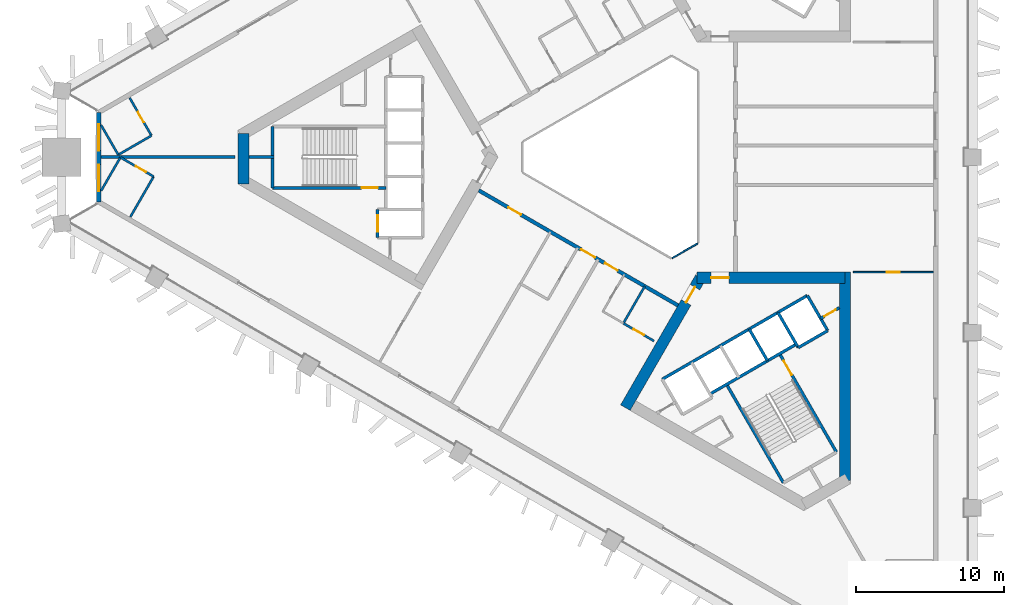
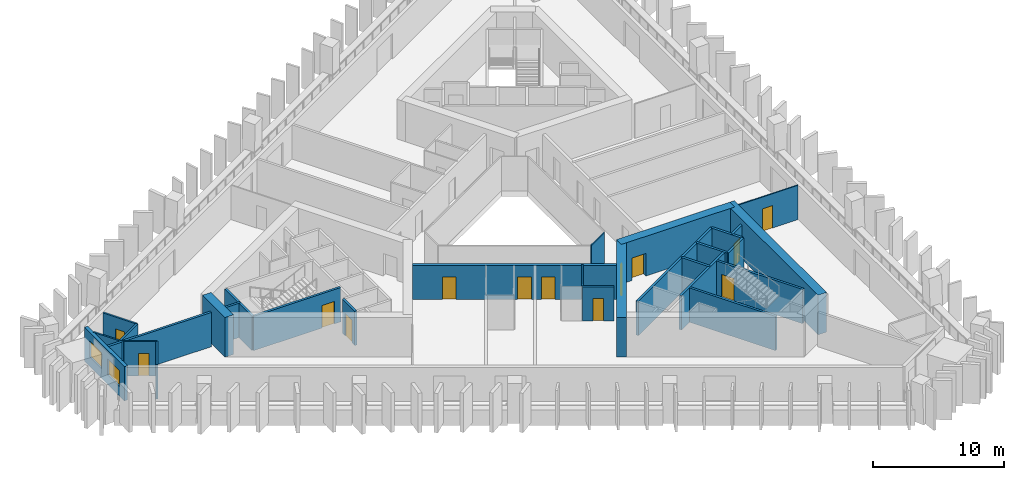
# One storey, part 3 of 10: 30 walls, 13 doors, 2 windows, 15 openings.
"""IFC4 building model written with IfcOpenShell, lengths in metres."""

from ifc_helpers import new_model, si_unit, direction, frame, frame_2d, origin, place, context, subcontext, project, spatial, rectangle, extrude, material, layer, layer_set, type_object, element, fill, save


model = new_model("IFC4")

# Units and contexts
model_context = context("Model", 3, precision=1e-05, world=origin(), true_north=direction((0.0, 1.0)))
body_context = subcontext(model_context, "Body", "Model", "MODEL_VIEW")
ifc_project = project(units=[si_unit("LENGTHUNIT", "METRE"), si_unit("AREAUNIT", "SQUARE_METRE"), si_unit("VOLUMEUNIT", "CUBIC_METRE"), si_unit("PLANEANGLEUNIT", "RADIAN"), si_unit("MASSUNIT", "GRAM", prefix="KILO")], contexts=[model_context])

# Site, building, storey
site_placement = place(None, origin())
site = spatial("IfcSite", under=ifc_project, at=site_placement, CompositionType="ELEMENT")
building_placement = place(site_placement, origin())
building = spatial("IfcBuilding", under=site, at=building_placement, Name="Jabali Bay Hotel Tower and Convention Centre", CompositionType="ELEMENT")
storey_placement = place(building_placement, frame((0.0, 0.0, 72.10009765625)))
storey = spatial("IfcBuildingStorey", under=building, at=storey_placement, Name="L16", CompositionType="ELEMENT", Elevation=72.10009765625)

# Walls
ifc_material_1 = material(Name="Fire-resistant glazing", Category="glass")
ifc_layer_1 = layer(ifc_material_1, 0.10009765625)
ifc_layer_set_1 = layer_set([ifc_layer_1], Name="Fire-resistant glazing")
wall_type_1 = type_object("IfcWallType", Name="Atrium glazed screen 100", PredefinedType="PARTITIONING", material=ifc_layer_set_1)
wall_1_placement = place(storey_placement, frame((77.7978515625, 73.15380859375, 0.0), z_axis=(0.0, 0.0, 1.0), x_axis=(0.866041268327, 0.499972520799, 0.0)))
element("IfcWall", 1, at=wall_1_placement, inside=storey, type_object=wall_type_1, Name="Atrium screen 6 L16", PredefinedType="PARTITIONING", context=body_context, shape_type="SweptSolid", body=[
    extrude(rectangle(XDim=2.0, YDim=0.10009765625, at=frame_2d((1.0, 0.0))), origin(), (0.0, 0.0, 1.0), 3.199951171875),
])
ifc_material_2 = material(Name="Concrete C40", Category="concrete")
ifc_layer_2 = layer(ifc_material_2, 0.199951171875)
ifc_layer_set_2 = layer_set([ifc_layer_2], Name="Concrete C40")
wall_type_2 = type_object("IfcWallType", Name="Core partition wall 200", PredefinedType="PARTITIONING", material=ifc_layer_set_2)
wall_2_placement = place(storey_placement, frame((50.820068359375, 80.0, 0.0), z_axis=(0.0, 0.0, 1.0), x_axis=(-1.0, 0.0, 0.0)))
element("IfcWall", 2, at=wall_2_placement, inside=storey, type_object=wall_type_2, Name="Core wall 0.5 L16", PredefinedType="PARTITIONING", context=body_context, shape_type="SweptSolid", body=[
    extrude(rectangle(XDim=1.673095703125, YDim=0.199951171875, at=frame_2d((0.83642578125, 0.0))), origin(), (0.0, 0.0, 1.0), 3.199951171875),
])

# Wall, opening, door
wall_3_placement = place(storey_placement, frame((87.86474609375, 69.067626953125, 0.0), z_axis=(0.0, 0.0, 1.0), x_axis=(0.865982457891, 0.500074377092, 0.0)))
wall_3 = element("IfcWall", 3, at=wall_3_placement, inside=storey, type_object=wall_type_2, Name="Core wall 2.12 L16", PredefinedType="PARTITIONING", context=body_context, shape_type="SweptSolid", body=[
    extrude(rectangle(XDim=1.461181640625, YDim=0.199951171875, at=frame_2d((0.73046875, 0.0))), origin(), (0.0, 0.0, 1.0), 3.199951171875),
])
opening_1_placement = place(wall_3_placement, frame((0.280517578125, 0.0, 0.0)))
opening_1 = element("IfcOpeningElement", 4, at=opening_1_placement, cuts=wall_3, Name="Opening D416", PredefinedType="OPENING", context=body_context, shape_type="SweptSolid", body=[
    extrude(rectangle(XDim=0.89990234375, YDim=2.10009765625, at=frame_2d((0.449951171875, 1.050048828125))), frame((0.0, 0.1103515625, 0.0), z_axis=(0.0, -1.0, 0.0), x_axis=(1.0, 0.0, 0.0)), (0.0, 0.0, 1.0), 0.220947265625),
])
ifc_material_3 = material(Name="Fire-rated steel door", Category="steel")
door_type_1 = type_object("IfcDoorType", Name="Vestibule fire door 900 x 2100", OperationType="NOTDEFINED", PredefinedType="NOTDEFINED", material=ifc_material_3)
door_1_placement = place(opening_1_placement, origin())
door_1 = element("IfcDoor", 5, at=door_1_placement, inside=storey, type_object=door_type_1, Name="Vestibule fire door D416", OperationType="SINGLE_SWING_LEFT", OverallHeight=2.10009765625, OverallWidth=0.89990234375, PredefinedType="NOTDEFINED", context=body_context, shape_type="SweptSolid", body=[
    extrude(rectangle(XDim=0.89990234375, YDim=2.10009765625, at=frame_2d((0.449951171875, 1.050048828125))), frame((0.0, 0.02490234375, 0.0), z_axis=(0.0, -1.0, 0.0), x_axis=(1.0, 0.0, 0.0)), (0.0, 0.0, 1.0), 0.050048828125),
])
fill(opening_1, door_1)

ifc_layer_3 = layer(ifc_material_2, 0.199951171875)
ifc_layer_set_3 = layer_set([ifc_layer_3], Name="Concrete C40")
wall_type_3 = type_object("IfcWallType", Name="Core stair wall 200", PredefinedType="SOLIDWALL", material=ifc_layer_set_3)
wall_4_placement = place(storey_placement, frame((58.419921875, 77.925048828125, 0.0), z_axis=(0.0, 0.0, 1.0), x_axis=(-1.0, 0.0, 0.0)))
wall_4 = element("IfcWall", 6, at=wall_4_placement, inside=storey, type_object=wall_type_3, Name="Core wall 0.7 L16", PredefinedType="SOLIDWALL", context=body_context, shape_type="SweptSolid", body=[
    extrude(rectangle(XDim=7.699951171875, YDim=0.199951171875, at=frame_2d((3.85009765625, 0.0))), origin(), (0.0, 0.0, 1.0), 3.199951171875),
])
opening_2_placement = place(wall_4_placement, frame((0.550048828125, 0.0, 0.0)))
opening_2 = element("IfcOpeningElement", 7, at=opening_2_placement, cuts=wall_4, Name="Opening D406", PredefinedType="OPENING", context=body_context, shape_type="SweptSolid", body=[
    extrude(rectangle(XDim=1.10009765625, YDim=2.10009765625, at=frame_2d((0.550048828125, 1.050048828125))), frame((0.0, 0.1103515625, 0.0), z_axis=(0.0, -1.0, 0.0), x_axis=(1.0, 0.0, 0.0)), (0.0, 0.0, 1.0), 0.220947265625),
])
door_type_2 = type_object("IfcDoorType", Name="Stair fire door 1100 x 2100", OperationType="NOTDEFINED", PredefinedType="NOTDEFINED", material=ifc_material_3)
door_2_placement = place(opening_2_placement, origin())
door_2 = element("IfcDoor", 8, at=door_2_placement, inside=storey, type_object=door_type_2, Name="Stair fire door D406", OperationType="SINGLE_SWING_RIGHT", OverallHeight=2.10009765625, OverallWidth=1.10009765625, PredefinedType="NOTDEFINED", context=body_context, shape_type="SweptSolid", body=[
    extrude(rectangle(XDim=1.10009765625, YDim=2.10009765625, at=frame_2d((0.550048828125, 1.050048828125))), frame((0.0, 0.02490234375, 0.0), z_axis=(0.0, -1.0, 0.0), x_axis=(1.0, 0.0, 0.0)), (0.0, 0.0, 1.0), 0.050048828125),
])
fill(opening_2, door_2)

wall_5_placement = place(storey_placement, frame((57.85009765625, 76.449951171875, 0.0), z_axis=(0.0, 0.0, 1.0), x_axis=(0.0, -1.0, 0.0)))
wall_5 = element("IfcWall", 9, at=wall_5_placement, inside=storey, type_object=wall_type_3, Name="Core wall 0.14 L16", PredefinedType="SOLIDWALL", context=body_context, shape_type="SweptSolid", body=[
    extrude(rectangle(XDim=1.89990234375, YDim=0.199951171875, at=frame_2d((0.949951171875, 0.0))), origin(), (0.0, 0.0, 1.0), 3.199951171875),
])
opening_3_placement = place(wall_5_placement, frame((0.39990234375, 0.0, 0.0)))
opening_3 = element("IfcOpeningElement", 10, at=opening_3_placement, cuts=wall_5, Name="Opening LD5-L16", PredefinedType="OPENING", context=body_context, shape_type="SweptSolid", body=[
    extrude(rectangle(XDim=1.10009765625, YDim=2.10009765625, at=frame_2d((0.550048828125, 1.050048828125))), frame((0.0, 0.1103515625, 0.0), z_axis=(0.0, -1.0, 0.0), x_axis=(1.0, 0.0, 0.0)), (0.0, 0.0, 1.0), 0.220947265625),
])
ifc_material_4 = material(Name="Stainless steel landing door", Category="steel")
door_type_3 = type_object("IfcDoorType", Name="Landing door 1100 x 2100", OperationType="NOTDEFINED", PredefinedType="NOTDEFINED", material=ifc_material_4)
door_3_placement = place(opening_3_placement, origin())
door_3 = element("IfcDoor", 11, at=door_3_placement, inside=storey, type_object=door_type_3, Name="Landing doors LD5-L16", OperationType="SLIDING_TO_RIGHT", OverallHeight=2.10009765625, OverallWidth=1.10009765625, PredefinedType="NOTDEFINED", context=body_context, shape_type="SweptSolid", body=[
    extrude(rectangle(XDim=1.10009765625, YDim=2.10009765625, at=frame_2d((0.550048828125, 1.050048828125))), frame((0.0, 0.02490234375, 0.0), z_axis=(0.0, -1.0, 0.0), x_axis=(1.0, 0.0, 0.0)), (0.0, 0.0, 1.0), 0.050048828125),
])
fill(opening_3, door_3)

# Walls
wall_6_placement = place(storey_placement, frame((50.719970703125, 82.074951171875, 0.0), z_axis=(0.0, 0.0, 1.0), x_axis=(0.0, -1.0, 0.0)))
element("IfcWall", 12, at=wall_6_placement, inside=storey, type_object=wall_type_3, Name="Core wall 0.17 L16", PredefinedType="SOLIDWALL", context=body_context, shape_type="SweptSolid", body=[
    extrude(rectangle(XDim=4.14990234375, YDim=0.199951171875, at=frame_2d((2.074951171875, 0.0))), origin(), (0.0, 0.0, 1.0), 3.199951171875),
])
wall_7_placement = place(storey_placement, frame((81.492919921875, 64.603759765625, 0.0), z_axis=(0.0, 0.0, 1.0), x_axis=(0.500006057782, -0.866021906294, 0.0)))
element("IfcWall", 13, at=wall_7_placement, inside=storey, type_object=wall_type_3, Name="Core wall 2.3 L16", PredefinedType="SOLIDWALL", context=body_context, shape_type="SweptSolid", body=[
    extrude(rectangle(XDim=7.7001953125, YDim=0.199951171875, at=frame_2d((3.85009765625, 0.0))), origin(), (0.0, 0.0, 1.0), 3.199951171875),
])
wall_8_placement = place(storey_placement, frame((83.024169921875, 68.3515625, 0.0), z_axis=(0.0, 0.0, 1.0), x_axis=(0.50000366821, -0.866023285932, 0.0)))
element("IfcWall", 14, at=wall_8_placement, inside=storey, type_object=wall_type_3, Name="Core wall 2.6 L16", PredefinedType="SOLIDWALL", context=body_context, shape_type="SweptSolid", body=[
    extrude(rectangle(XDim=2.47998046875, YDim=0.199951171875, at=frame_2d((1.239990234375, 0.0))), origin(), (0.0, 0.0, 1.0), 3.199951171875),
])

# Wall, opening, door
wall_9_placement = place(storey_placement, frame((85.0869140625, 66.6787109375, 0.0), z_axis=(0.0, 0.0, 1.0), x_axis=(0.500019787375, -0.866013979237, 0.0)))
wall_9 = element("IfcWall", 15, at=wall_9_placement, inside=storey, type_object=wall_type_3, Name="Core wall 2.7 L16", PredefinedType="SOLIDWALL", context=body_context, shape_type="SweptSolid", body=[
    extrude(rectangle(XDim=7.699951171875, YDim=0.199951171875, at=frame_2d((3.85009765625, 0.0))), origin(), (0.0, 0.0, 1.0), 3.199951171875),
])
opening_4_placement = place(wall_9_placement, frame((0.550048828125, 0.0, 0.0)))
opening_4 = element("IfcOpeningElement", 16, at=opening_4_placement, cuts=wall_9, Name="Opening D418", PredefinedType="OPENING", context=body_context, shape_type="SweptSolid", body=[
    extrude(rectangle(XDim=1.10009765625, YDim=2.10009765625, at=frame_2d((0.550048828125, 1.050048828125))), frame((0.0, 0.1103515625, 0.0), z_axis=(0.0, -1.0, 0.0), x_axis=(1.0, 0.0, 0.0)), (0.0, 0.0, 1.0), 0.220947265625),
])
door_4_placement = place(opening_4_placement, origin())
door_4 = element("IfcDoor", 17, at=door_4_placement, inside=storey, type_object=door_type_2, Name="Stair fire door D418", OperationType="SINGLE_SWING_RIGHT", OverallHeight=2.10009765625, OverallWidth=1.10009765625, PredefinedType="NOTDEFINED", context=body_context, shape_type="SweptSolid", body=[
    extrude(rectangle(XDim=1.10009765625, YDim=2.10009765625, at=frame_2d((0.550048828125, 1.050048828125))), frame((0.0, 0.02490234375, 0.0), z_axis=(0.0, -1.0, 0.0), x_axis=(1.0, 0.0, 0.0)), (0.0, 0.0, 1.0), 0.050048828125),
])
fill(opening_4, door_4)

# Walls
for number, where, z_axis, x_axis, name in (
    (18, (84.972900390625, 69.4765625, 0.0), (0.0, 0.0, 1.0), (0.499996545922, -0.866027397988, 0.0), "Core wall 2.8 L16"),
    (19, (86.964599609375, 70.62646484375, 0.0), (0.0, 0.0, 1.0), (0.499996545922, -0.866027397988, 0.0), "Core wall 2.9 L16"),
):
    element("IfcWall", number, at=place(storey_placement, frame(where, z_axis=z_axis, x_axis=x_axis)), inside=storey, type_object=wall_type_3, Name=name, PredefinedType="SOLIDWALL", context=body_context, shape_type="SweptSolid", body=[
        extrude(rectangle(XDim=2.75, YDim=0.199951171875, at=frame_2d((1.375, 0.0))), origin(), (0.0, 0.0, 1.0), 3.199951171875),
    ])
wall_10_placement = place(storey_placement, frame((77.13525390625, 64.95166015625, 0.0), z_axis=(0.0, 0.0, 1.0), x_axis=(0.866031916153, 0.499988720078, 0.0)))
element("IfcWall", 20, at=wall_10_placement, inside=storey, type_object=wall_type_3, Name="Core wall 2.10 L16", PredefinedType="SOLIDWALL", context=body_context, shape_type="SweptSolid", body=[
    extrude(rectangle(XDim=11.349853515625, YDim=0.199951171875, at=frame_2d((5.6748046875, 0.0))), origin(), (0.0, 0.0, 1.0), 3.199951171875),
])
wall_11_placement = place(storey_placement, frame((80.3671875, 63.953857421875, 0.0), z_axis=(0.0, 0.0, 1.0), x_axis=(0.866026575979, 0.499997969693, 0.0)))
element("IfcWall", 21, at=wall_11_placement, inside=storey, type_object=wall_type_3, Name="Core wall 2.13 L16", PredefinedType="SOLIDWALL", context=body_context, shape_type="SweptSolid", body=[
    extrude(rectangle(XDim=6.75, YDim=0.199951171875, at=frame_2d((3.375, 0.0))), origin(), (0.0, 0.0, 1.0), 3.199951171875),
])
wall_12_placement = place(storey_placement, frame((86.347900390625, 67.094970703125, 0.0), z_axis=(0.0, 0.0, 1.0), x_axis=(0.86602648383, 0.499998129301, 0.0)))
element("IfcWall", 22, at=wall_12_placement, inside=storey, type_object=wall_type_3, Name="Core wall 2.15 L16", PredefinedType="SOLIDWALL", context=body_context, shape_type="SweptSolid", body=[
    extrude(rectangle(XDim=2.2998046875, YDim=0.199951171875, at=frame_2d((1.14990234375, 0.0))), origin(), (0.0, 0.0, 1.0), 3.199951171875),
])
ifc_material_5 = material(Name="Concrete C60", Category="concrete")
ifc_layer_4 = layer(ifc_material_5, 0.75)
ifc_layer_set_4 = layer_set([ifc_layer_4], Name="Concrete C60")
wall_type_4 = type_object("IfcWallType", Name="Core wall 750", PredefinedType="SHEAR", material=ifc_layer_set_4)
wall_13_placement = place(storey_placement, frame((48.77197265625, 81.606201171875, 0.0), z_axis=(0.0, 0.0, 1.0), x_axis=(0.0, -1.0, 0.0)))
element("IfcWall", 23, at=wall_13_placement, inside=storey, type_object=wall_type_4, Name="Core wall 1.3 L16", PredefinedType="SHEAR", context=body_context, shape_type="SweptSolid", body=[
    extrude(rectangle(XDim=3.428955078125, YDim=0.75, at=frame_2d((1.71435546875, 0.0))), origin(), (0.0, 0.0, 1.0), 3.699951171875),
])

# Wall, opening, door
wall_14_placement = place(storey_placement, frame((79.716552734375, 71.830810546875, 0.0), z_axis=(0.0, 0.0, 1.0), x_axis=(-0.499996230114, -0.866027580318, 0.0)))
wall_14 = element("IfcWall", 24, at=wall_14_placement, inside=storey, type_object=wall_type_4, Name="Core wall 3.1 L16", PredefinedType="SHEAR", context=body_context, shape_type="SweptSolid", body=[
    extrude(rectangle(XDim=10.16357421875, YDim=0.75, at=frame_2d((5.081787109375, 0.0))), origin(), (0.0, 0.0, 1.0), 3.699951171875),
])
opening_5_placement = place(wall_14_placement, frame((0.7333984375, 0.0, 0.0)))
opening_5 = element("IfcOpeningElement", 25, at=opening_5_placement, cuts=wall_14, Name="Opening D414", PredefinedType="OPENING", context=body_context, shape_type="SweptSolid", body=[
    extrude(rectangle(XDim=1.199951171875, YDim=2.10009765625, at=frame_2d((0.60009765625, 1.050048828125))), frame((0.0, 0.385498046875, 0.0), z_axis=(0.0, -1.0, 0.0), x_axis=(1.0, 0.0, 0.0)), (0.0, 0.0, 1.0), 0.77099609375),
])
door_type_4 = type_object("IfcDoorType", Name="Corridor end fire door 1200 x 2100", OperationType="NOTDEFINED", PredefinedType="NOTDEFINED", material=ifc_material_3)
door_5_placement = place(opening_5_placement, origin())
door_5 = element("IfcDoor", 26, at=door_5_placement, inside=storey, type_object=door_type_4, Name="Corridor end fire door D414", OperationType="SINGLE_SWING_RIGHT", OverallHeight=2.10009765625, OverallWidth=1.199951171875, PredefinedType="NOTDEFINED", context=body_context, shape_type="SweptSolid", body=[
    extrude(rectangle(XDim=1.199951171875, YDim=2.10009765625, at=frame_2d((0.60009765625, 1.050048828125))), frame((0.0, 0.02490234375, 0.0), z_axis=(0.0, -1.0, 0.0), x_axis=(1.0, 0.0, 0.0)), (0.0, 0.0, 1.0), 0.050048828125),
])
fill(opening_5, door_5)

# Wall
wall_15_placement = place(storey_placement, frame((89.5048828125, 58.0888671875, 0.0), z_axis=(0.0, 0.0, 1.0), x_axis=(0.0, 1.0, 0.0)))
element("IfcWall", 27, at=wall_15_placement, inside=storey, type_object=wall_type_4, Name="Core wall 3.4 L16", PredefinedType="SHEAR", context=body_context, shape_type="SweptSolid", body=[
    extrude(rectangle(XDim=14.116943359375, YDim=0.75, at=frame_2d((7.05859375, 0.0))), origin(), (0.0, 0.0, 1.0), 3.699951171875),
])

# Wall, opening, door
wall_16_placement = place(storey_placement, frame((89.5048828125, 71.830810546875, 0.0), z_axis=(0.0, 0.0, 1.0), x_axis=(-1.0, 0.0, 0.0)))
wall_16 = element("IfcWall", 28, at=wall_16_placement, inside=storey, type_object=wall_type_4, Name="Core wall 3.5 L16", PredefinedType="SHEAR", context=body_context, shape_type="SweptSolid", body=[
    extrude(rectangle(XDim=10.0048828125, YDim=0.75, at=frame_2d((5.00244140625, 0.0))), origin(), (0.0, 0.0, 1.0), 3.699951171875),
])
opening_6_placement = place(wall_16_placement, frame((7.85498046875, 0.0, 0.0)))
opening_6 = element("IfcOpeningElement", 29, at=opening_6_placement, cuts=wall_16, Name="Opening D415", PredefinedType="OPENING", context=body_context, shape_type="SweptSolid", body=[
    extrude(rectangle(XDim=1.199951171875, YDim=2.10009765625, at=frame_2d((0.60009765625, 1.050048828125))), frame((0.0, 0.385498046875, 0.0), z_axis=(0.0, -1.0, 0.0), x_axis=(1.0, 0.0, 0.0)), (0.0, 0.0, 1.0), 0.77099609375),
])
door_6_placement = place(opening_6_placement, origin())
door_6 = element("IfcDoor", 30, at=door_6_placement, inside=storey, type_object=door_type_4, Name="Corridor end fire door D415", OperationType="SINGLE_SWING_LEFT", OverallHeight=2.10009765625, OverallWidth=1.199951171875, PredefinedType="NOTDEFINED", context=body_context, shape_type="SweptSolid", body=[
    extrude(rectangle(XDim=1.199951171875, YDim=2.10009765625, at=frame_2d((0.60009765625, 1.050048828125))), frame((0.0, 0.02490234375, 0.0), z_axis=(0.0, -1.0, 0.0), x_axis=(1.0, 0.0, 0.0)), (0.0, 0.0, 1.0), 0.050048828125),
])
fill(opening_6, door_6)

# Wall, openings, doors
ifc_layer_5 = layer(ifc_material_5, 0.25)
ifc_layer_set_5 = layer_set([ifc_layer_5], Name="Concrete C60")
wall_type_5 = type_object("IfcWallType", Name="Corridor wall 250", PredefinedType="SHEAR", material=ifc_layer_set_5)
wall_17_placement = place(storey_placement, frame((64.699951171875, 77.748291015625, 0.0), z_axis=(0.0, 0.0, 1.0), x_axis=(0.866026492143, -0.499998114903, 0.0)))
wall_17 = element("IfcWall", 31, at=wall_17_placement, inside=storey, type_object=wall_type_5, Name="Corridor wall 3 L16", PredefinedType="SHEAR", context=body_context, shape_type="SweptSolid", body=[
    extrude(rectangle(XDim=15.58837890625, YDim=0.25, at=frame_2d((7.794189453125, 0.0))), origin(), (0.0, 0.0, 1.0), 3.199951171875),
])
opening_7_placement = place(wall_17_placement, frame((2.305908203125, 0.0, 0.0)))
opening_7 = element("IfcOpeningElement", 32, at=opening_7_placement, cuts=wall_17, Name="Opening 1617", PredefinedType="OPENING", context=body_context, shape_type="SweptSolid", body=[
    extrude(rectangle(XDim=1.0, YDim=2.10009765625, at=frame_2d((0.5, 1.050048828125))), frame((0.0, 0.135498046875, 0.0), z_axis=(0.0, -1.0, 0.0), x_axis=(1.0, 0.0, 0.0)), (0.0, 0.0, 1.0), 0.27099609375),
])
opening_8_placement = place(wall_17_placement, frame((8.003173828125, 0.0, 0.0)))
opening_8 = element("IfcOpeningElement", 33, at=opening_8_placement, cuts=wall_17, Name="Opening 1621", PredefinedType="OPENING", context=body_context, shape_type="SweptSolid", body=[
    extrude(rectangle(XDim=1.10009765625, YDim=2.10009765625, at=frame_2d((0.550048828125, 1.050048828125))), frame((0.0, 0.135498046875, 0.0), z_axis=(0.0, -1.0, 0.0), x_axis=(1.0, 0.0, 0.0)), (0.0, 0.0, 1.0), 0.27099609375),
])
opening_9_placement = place(wall_17_placement, frame((9.870849609375, 0.0, 0.0)))
opening_9 = element("IfcOpeningElement", 34, at=opening_9_placement, cuts=wall_17, Name="Opening 1624", PredefinedType="OPENING", context=body_context, shape_type="SweptSolid", body=[
    extrude(rectangle(XDim=1.0, YDim=2.10009765625, at=frame_2d((0.5, 1.050048828125))), frame((0.0, 0.135498046875, 0.0), z_axis=(0.0, -1.0, 0.0), x_axis=(1.0, 0.0, 0.0)), (0.0, 0.0, 1.0), 0.27099609375),
])
ifc_material_6 = material(Name="Timber", Category="wood")
door_type_5 = type_object("IfcDoorType", Name="Accessible guest room door 1100 x 2100", OperationType="NOTDEFINED", PredefinedType="NOTDEFINED", material=ifc_material_6)
door_7_placement = place(opening_8_placement, origin())
door_7 = element("IfcDoor", 35, at=door_7_placement, inside=storey, type_object=door_type_5, Name="Door 1621", OperationType="SINGLE_SWING_RIGHT", OverallHeight=2.10009765625, OverallWidth=1.10009765625, PredefinedType="NOTDEFINED", context=body_context, shape_type="SweptSolid", body=[
    extrude(rectangle(XDim=1.10009765625, YDim=2.10009765625, at=frame_2d((0.550048828125, 1.050048828125))), frame((0.0, 0.02490234375, 0.0), z_axis=(0.0, -1.0, 0.0), x_axis=(1.0, 0.0, 0.0)), (0.0, 0.0, 1.0), 0.050048828125),
])
fill(opening_8, door_7)
door_type_6 = type_object("IfcDoorType", Name="Guest room door 1000 x 2100", OperationType="NOTDEFINED", PredefinedType="NOTDEFINED", material=ifc_material_6)
door_8_placement = place(opening_7_placement, origin())
door_8 = element("IfcDoor", 36, at=door_8_placement, inside=storey, type_object=door_type_6, Name="Door 1617", OperationType="SINGLE_SWING_LEFT", OverallHeight=2.10009765625, OverallWidth=1.0, PredefinedType="NOTDEFINED", context=body_context, shape_type="SweptSolid", body=[
    extrude(rectangle(XDim=1.0, YDim=2.10009765625, at=frame_2d((0.5, 1.050048828125))), frame((0.0, 0.02490234375, 0.0), z_axis=(0.0, -1.0, 0.0), x_axis=(1.0, 0.0, 0.0)), (0.0, 0.0, 1.0), 0.050048828125),
])
fill(opening_7, door_8)
door_9_placement = place(opening_9_placement, origin())
door_9 = element("IfcDoor", 37, at=door_9_placement, inside=storey, type_object=door_type_6, Name="Door 1624", OperationType="SINGLE_SWING_RIGHT", OverallHeight=2.10009765625, OverallWidth=1.0, PredefinedType="NOTDEFINED", context=body_context, shape_type="SweptSolid", body=[
    extrude(rectangle(XDim=1.0, YDim=2.10009765625, at=frame_2d((0.5, 1.050048828125))), frame((0.0, 0.02490234375, 0.0), z_axis=(0.0, -1.0, 0.0), x_axis=(1.0, 0.0, 0.0)), (0.0, 0.0, 1.0), 0.050048828125),
])
fill(opening_9, door_9)

# Wall, openings, windows
ifc_layer_6 = layer(ifc_material_2, 0.300048828125)
ifc_layer_set_6 = layer_set([ifc_layer_6], Name="Concrete C40")
wall_type_6 = type_object("IfcWallType", Name="External wall 300", PredefinedType="SOLIDWALL", material=ifc_layer_set_6)
wall_18_placement = place(storey_placement, frame((38.962158203125, 76.9619140625, 0.0), z_axis=(0.0, 0.0, 1.0), x_axis=(0.0, 1.0, 0.0)))
wall_18 = element("IfcWall", 38, at=wall_18_placement, inside=storey, type_object=wall_type_6, Name="External wall west chamfer L16", PredefinedType="SOLIDWALL", context=body_context, shape_type="SweptSolid", body=[
    extrude(rectangle(XDim=6.076171875, YDim=0.300048828125, at=frame_2d((3.0380859375, 0.0))), origin(), (0.0, 0.0, 1.0), 3.199951171875),
])
opening_10_placement = place(wall_18_placement, frame((3.484130859375, 0.0, 0.89990234375)))
opening_10 = element("IfcOpeningElement", 39, at=opening_10_placement, cuts=wall_18, Name="Opening W1", PredefinedType="OPENING", context=body_context, shape_type="SweptSolid", body=[
    extrude(rectangle(XDim=1.800048828125, YDim=1.5, at=frame_2d((0.89990234375, 0.75))), frame((0.0, 0.16064453125, 0.0), z_axis=(0.0, -1.0, 0.0), x_axis=(1.0, 0.0, 0.0)), (0.0, 0.0, 1.0), 0.321044921875),
])
opening_11_placement = place(wall_18_placement, frame((0.737548828125, 0.0, 0.89990234375)))
opening_11 = element("IfcOpeningElement", 40, at=opening_11_placement, cuts=wall_18, Name="Opening W1", PredefinedType="OPENING", context=body_context, shape_type="SweptSolid", body=[
    extrude(rectangle(XDim=1.800048828125, YDim=1.5, at=frame_2d((0.89990234375, 0.75))), frame((0.0, 0.16064453125, 0.0), z_axis=(0.0, -1.0, 0.0), x_axis=(1.0, 0.0, 0.0)), (0.0, 0.0, 1.0), 0.321044921875),
])
ifc_material_7 = material(Name="Glass", Category="glass")
window_type = type_object("IfcWindowType", Name="Window 1800 x 1500", PartitioningType="SINGLE_PANEL", PredefinedType="WINDOW", material=ifc_material_7)
window_1_placement = place(opening_10_placement, origin())
window_1 = element("IfcWindow", 41, at=window_1_placement, inside=storey, type_object=window_type, Name="Window 1607", OverallHeight=1.5, OverallWidth=1.800048828125, PartitioningType="SINGLE_PANEL", PredefinedType="WINDOW", context=body_context, shape_type="SweptSolid", body=[
    extrude(rectangle(XDim=1.800048828125, YDim=1.5, at=frame_2d((0.89990234375, 0.75))), frame((0.0, 0.030029296875, 0.0), z_axis=(0.0, -1.0, 0.0), x_axis=(1.0, 0.0, 0.0)), (0.0, 0.0, 1.0), 0.06005859375),
])
fill(opening_10, window_1)
window_2_placement = place(opening_11_placement, origin())
window_2 = element("IfcWindow", 42, at=window_2_placement, inside=storey, type_object=window_type, Name="Window 1608", OverallHeight=1.5, OverallWidth=1.800048828125, PartitioningType="SINGLE_PANEL", PredefinedType="WINDOW", context=body_context, shape_type="SweptSolid", body=[
    extrude(rectangle(XDim=1.800048828125, YDim=1.5, at=frame_2d((0.89990234375, 0.75))), frame((0.0, 0.030029296875, 0.0), z_axis=(0.0, -1.0, 0.0), x_axis=(1.0, 0.0, 0.0)), (0.0, 0.0, 1.0), 0.06005859375),
])
fill(opening_11, window_2)

# Wall, opening, door
ifc_material_8 = material(Name="Plasterboard on steel stud", Category="steel")
ifc_layer_7 = layer(ifc_material_8, 0.10009765625)
ifc_layer_set_7 = layer_set([ifc_layer_7], Name="Plasterboard on steel stud")
wall_type_7 = type_object("IfcWallType", Name="Partition 100 unit", PredefinedType="PARTITIONING", material=ifc_layer_set_7)
wall_19_placement = place(storey_placement, frame((90.0791015625, 72.205810546875, 0.0), z_axis=(0.0, 0.0, 1.0), x_axis=(1.0, 0.0, 0.0)))
wall_19 = element("IfcWall", 43, at=wall_19_placement, inside=storey, type_object=wall_type_7, Name="Partition P02 L16 001", PredefinedType="PARTITIONING", context=body_context, shape_type="SweptSolid", body=[
    extrude(rectangle(XDim=5.421875, YDim=0.10009765625, at=frame_2d((2.7109375, 0.0))), origin(), (0.0, 0.0, 1.0), 3.199951171875),
])
opening_12_placement = place(wall_19_placement, frame((2.260986328125, 0.0, 0.0)))
opening_12 = element("IfcOpeningElement", 44, at=opening_12_placement, cuts=wall_19, Name="Opening 1602", PredefinedType="OPENING", context=body_context, shape_type="SweptSolid", body=[
    extrude(rectangle(XDim=0.89990234375, YDim=2.10009765625, at=frame_2d((0.449951171875, 1.050048828125))), frame((0.0, 0.060546875, 0.0), z_axis=(0.0, -1.0, 0.0), x_axis=(1.0, 0.0, 0.0)), (0.0, 0.0, 1.0), 0.12109375),
])
door_type_7 = type_object("IfcDoorType", Name="Internal door 900 x 2100", OperationType="NOTDEFINED", PredefinedType="NOTDEFINED", material=ifc_material_6)
door_10_placement = place(opening_12_placement, origin())
door_10 = element("IfcDoor", 45, at=door_10_placement, inside=storey, type_object=door_type_7, Name="Door 1602", OperationType="SINGLE_SWING_LEFT", OverallHeight=2.10009765625, OverallWidth=0.89990234375, PredefinedType="NOTDEFINED", context=body_context, shape_type="SweptSolid", body=[
    extrude(rectangle(XDim=0.89990234375, YDim=2.10009765625, at=frame_2d((0.449951171875, 1.050048828125))), frame((0.0, 0.02490234375, 0.0), z_axis=(0.0, -1.0, 0.0), x_axis=(1.0, 0.0, 0.0)), (0.0, 0.0, 1.0), 0.050048828125),
])
fill(opening_12, door_10)

ifc_layer_8 = layer(ifc_material_8, 0.14990234375)
ifc_layer_set_8 = layer_set([ifc_layer_8], Name="Plasterboard on steel stud")
wall_type_8 = type_object("IfcWallType", Name="Partition 150 wet", PredefinedType="PARTITIONING", material=ifc_layer_set_8)
wall_20_placement = place(storey_placement, frame((41.0458984375, 84.021728515625, 0.0), z_axis=(0.0, 0.0, 1.0), x_axis=(0.500017718492, -0.866015173767, 0.0)))
wall_20 = element("IfcWall", 46, at=wall_20_placement, inside=storey, type_object=wall_type_8, Name="Partition P03 L16 024", PredefinedType="PARTITIONING", context=body_context, shape_type="SweptSolid", body=[
    extrude(rectangle(XDim=2.95849609375, YDim=0.14990234375, at=frame_2d((1.479248046875, 0.0))), origin(), (0.0, 0.0, 1.0), 3.199951171875),
])
opening_13_placement = place(wall_20_placement, frame((1.1083984375, 0.0, 0.0)))
opening_13 = element("IfcOpeningElement", 47, at=opening_13_placement, cuts=wall_20, Name="Opening 1616", PredefinedType="OPENING", context=body_context, shape_type="SweptSolid", body=[
    extrude(rectangle(XDim=0.800048828125, YDim=2.10009765625, at=frame_2d((0.39990234375, 1.050048828125))), frame((0.0, 0.08544921875, 0.0), z_axis=(0.0, -1.0, 0.0), x_axis=(1.0, 0.0, 0.0)), (0.0, 0.0, 1.0), 0.1708984375),
])
door_type_8 = type_object("IfcDoorType", Name="En-suite door 800 x 2100", OperationType="NOTDEFINED", PredefinedType="NOTDEFINED", material=ifc_material_6)
door_11_placement = place(opening_13_placement, origin())
door_11 = element("IfcDoor", 48, at=door_11_placement, inside=storey, type_object=door_type_8, Name="Door 1616", OperationType="SINGLE_SWING_LEFT", OverallHeight=2.10009765625, OverallWidth=0.800048828125, PredefinedType="NOTDEFINED", context=body_context, shape_type="SweptSolid", body=[
    extrude(rectangle(XDim=0.800048828125, YDim=2.10009765625, at=frame_2d((0.39990234375, 1.050048828125))), frame((0.0, 0.02490234375, 0.0), z_axis=(0.0, -1.0, 0.0), x_axis=(1.0, 0.0, 0.0)), (0.0, 0.0, 1.0), 0.050048828125),
])
fill(opening_13, door_11)

# Walls
wall_21_placement = place(storey_placement, frame((42.525146484375, 81.459716796875, 0.0), z_axis=(0.0, 0.0, 1.0), x_axis=(-0.866021400173, -0.500006934395, 0.0)))
element("IfcWall", 49, at=wall_21_placement, inside=storey, type_object=wall_type_8, Name="Partition P03 L16 025", PredefinedType="PARTITIONING", context=body_context, shape_type="SweptSolid", body=[
    extrude(rectangle(XDim=2.60009765625, YDim=0.14990234375, at=frame_2d((1.300048828125, 0.0))), origin(), (0.0, 0.0, 1.0), 3.199951171875),
])
wall_22_placement = place(storey_placement, frame((40.2734375, 80.15966796875, 0.0), z_axis=(0.0, 0.0, 1.0), x_axis=(-0.500013365158, 0.86601768727, 0.0)))
element("IfcWall", 50, at=wall_22_placement, inside=storey, type_object=wall_type_8, Name="Partition P03 L16 026", PredefinedType="PARTITIONING", context=body_context, shape_type="SweptSolid", body=[
    extrude(rectangle(XDim=2.32470703125, YDim=0.14990234375, at=frame_2d((1.162353515625, 0.0))), origin(), (0.0, 0.0, 1.0), 3.199951171875),
])
wall_23_placement = place(storey_placement, frame((39.111083984375, 77.7177734375, 0.0), z_axis=(0.0, 0.0, 1.0), x_axis=(0.500058625179, 0.865991553875, 0.0)))
element("IfcWall", 51, at=wall_23_placement, inside=storey, type_object=wall_type_8, Name="Partition P03 L16 031", PredefinedType="PARTITIONING", context=body_context, shape_type="SweptSolid", body=[
    extrude(rectangle(XDim=2.619384765625, YDim=0.14990234375, at=frame_2d((1.3095703125, 0.0))), origin(), (0.0, 0.0, 1.0), 3.199951171875),
])

# Wall, opening, door
wall_24_placement = place(storey_placement, frame((40.4208984375, 79.986083984375, 0.0), z_axis=(0.0, 0.0, 1.0), x_axis=(0.86603858612, -0.49997716683, 0.0)))
wall_24 = element("IfcWall", 52, at=wall_24_placement, inside=storey, type_object=wall_type_8, Name="Partition P03 L16 032", PredefinedType="PARTITIONING", context=body_context, shape_type="SweptSolid", body=[
    extrude(rectangle(XDim=2.599609375, YDim=0.14990234375, at=frame_2d((1.2998046875, 0.0))), origin(), (0.0, 0.0, 1.0), 3.199951171875),
])
opening_14_placement = place(wall_24_placement, frame((1.199951171875, 0.0, 0.0)))
opening_14 = element("IfcOpeningElement", 53, at=opening_14_placement, cuts=wall_24, Name="Opening 1619", PredefinedType="OPENING", context=body_context, shape_type="SweptSolid", body=[
    extrude(rectangle(XDim=0.800048828125, YDim=2.10009765625, at=frame_2d((0.39990234375, 1.050048828125))), frame((0.0, 0.08544921875, 0.0), z_axis=(0.0, -1.0, 0.0), x_axis=(1.0, 0.0, 0.0)), (0.0, 0.0, 1.0), 0.1708984375),
])
door_12_placement = place(opening_14_placement, origin())
door_12 = element("IfcDoor", 54, at=door_12_placement, inside=storey, type_object=door_type_8, Name="Door 1619", OperationType="SINGLE_SWING_RIGHT", OverallHeight=2.10009765625, OverallWidth=0.800048828125, PredefinedType="NOTDEFINED", context=body_context, shape_type="SweptSolid", body=[
    extrude(rectangle(XDim=0.800048828125, YDim=2.10009765625, at=frame_2d((0.39990234375, 1.050048828125))), frame((0.0, 0.02490234375, 0.0), z_axis=(0.0, -1.0, 0.0), x_axis=(1.0, 0.0, 0.0)), (0.0, 0.0, 1.0), 0.050048828125),
])
fill(opening_14, door_12)

# Wall
wall_25_placement = place(storey_placement, frame((42.67236328125, 78.686279296875, 0.0), z_axis=(0.0, 0.0, 1.0), x_axis=(-0.499963336192, -0.866046570609, 0.0)))
element("IfcWall", 55, at=wall_25_placement, inside=storey, type_object=wall_type_8, Name="Partition P03 L16 033", PredefinedType="PARTITIONING", context=body_context, shape_type="SweptSolid", body=[
    extrude(rectangle(XDim=3.158447265625, YDim=0.14990234375, at=frame_2d((1.5791015625, 0.0))), origin(), (0.0, 0.0, 1.0), 3.199951171875),
])

# Wall, opening, door
wall_26_placement = place(storey_placement, frame((76.57763671875, 67.542236328125, 0.0), z_axis=(0.0, 0.0, 1.0), x_axis=(-0.866038271014, 0.499977712642, 0.0)))
wall_26 = element("IfcWall", 56, at=wall_26_placement, inside=storey, type_object=wall_type_8, Name="Partition P03 L16 037", PredefinedType="PARTITIONING", context=body_context, shape_type="SweptSolid", body=[
    extrude(rectangle(XDim=2.40087890625, YDim=0.14990234375, at=frame_2d((1.200439453125, 0.0))), origin(), (0.0, 0.0, 1.0), 3.199951171875),
])
opening_15_placement = place(wall_26_placement, frame((0.801025390625, 0.0, 0.0)))
opening_15 = element("IfcOpeningElement", 57, at=opening_15_placement, cuts=wall_26, Name="Opening 1622", PredefinedType="OPENING", context=body_context, shape_type="SweptSolid", body=[
    extrude(rectangle(XDim=0.800048828125, YDim=2.10009765625, at=frame_2d((0.39990234375, 1.050048828125))), frame((0.0, 0.08544921875, 0.0), z_axis=(0.0, -1.0, 0.0), x_axis=(1.0, 0.0, 0.0)), (0.0, 0.0, 1.0), 0.1708984375),
])
door_13_placement = place(opening_15_placement, origin())
door_13 = element("IfcDoor", 58, at=door_13_placement, inside=storey, type_object=door_type_8, Name="Door 1622", OperationType="SINGLE_SWING_LEFT", OverallHeight=2.10009765625, OverallWidth=0.800048828125, PredefinedType="NOTDEFINED", context=body_context, shape_type="SweptSolid", body=[
    extrude(rectangle(XDim=0.800048828125, YDim=2.10009765625, at=frame_2d((0.39990234375, 1.050048828125))), frame((0.0, 0.02490234375, 0.0), z_axis=(0.0, -1.0, 0.0), x_axis=(1.0, 0.0, 0.0)), (0.0, 0.0, 1.0), 0.050048828125),
])
fill(opening_15, door_13)

# Walls
wall_27_placement = place(storey_placement, frame((75.9482421875, 71.254150390625, 0.0), z_axis=(0.0, 0.0, 1.0), x_axis=(-0.499987231761, -0.866032775405, 0.0)))
element("IfcWall", 59, at=wall_27_placement, inside=storey, type_object=wall_type_8, Name="Partition P03 L16 040", PredefinedType="PARTITIONING", context=body_context, shape_type="SweptSolid", body=[
    extrude(rectangle(XDim=2.89990234375, YDim=0.14990234375, at=frame_2d((1.449951171875, 0.0))), origin(), (0.0, 0.0, 1.0), 3.199951171875),
])
ifc_layer_9 = layer(ifc_material_8, 0.199951171875)
ifc_layer_set_9 = layer_set([ifc_layer_9], Name="Plasterboard on steel stud")
wall_type_9 = type_object("IfcWallType", Name="Partition 200 party", PredefinedType="PARTITIONING", material=ifc_layer_set_9)
wall_28_placement = place(storey_placement, frame((39.111083984375, 80.0, 0.0), z_axis=(0.0, 0.0, 1.0), x_axis=(1.0, 0.0, 0.0)))
element("IfcWall", 60, at=wall_28_placement, inside=storey, type_object=wall_type_9, Name="Partition P01 L16 027", PredefinedType="PARTITIONING", context=body_context, shape_type="SweptSolid", body=[
    extrude(rectangle(XDim=9.0869140625, YDim=0.199951171875, at=frame_2d((4.54345703125, 0.0))), origin(), (0.0, 0.0, 1.0), 3.199951171875),
])

save(model, "model.ifc")
